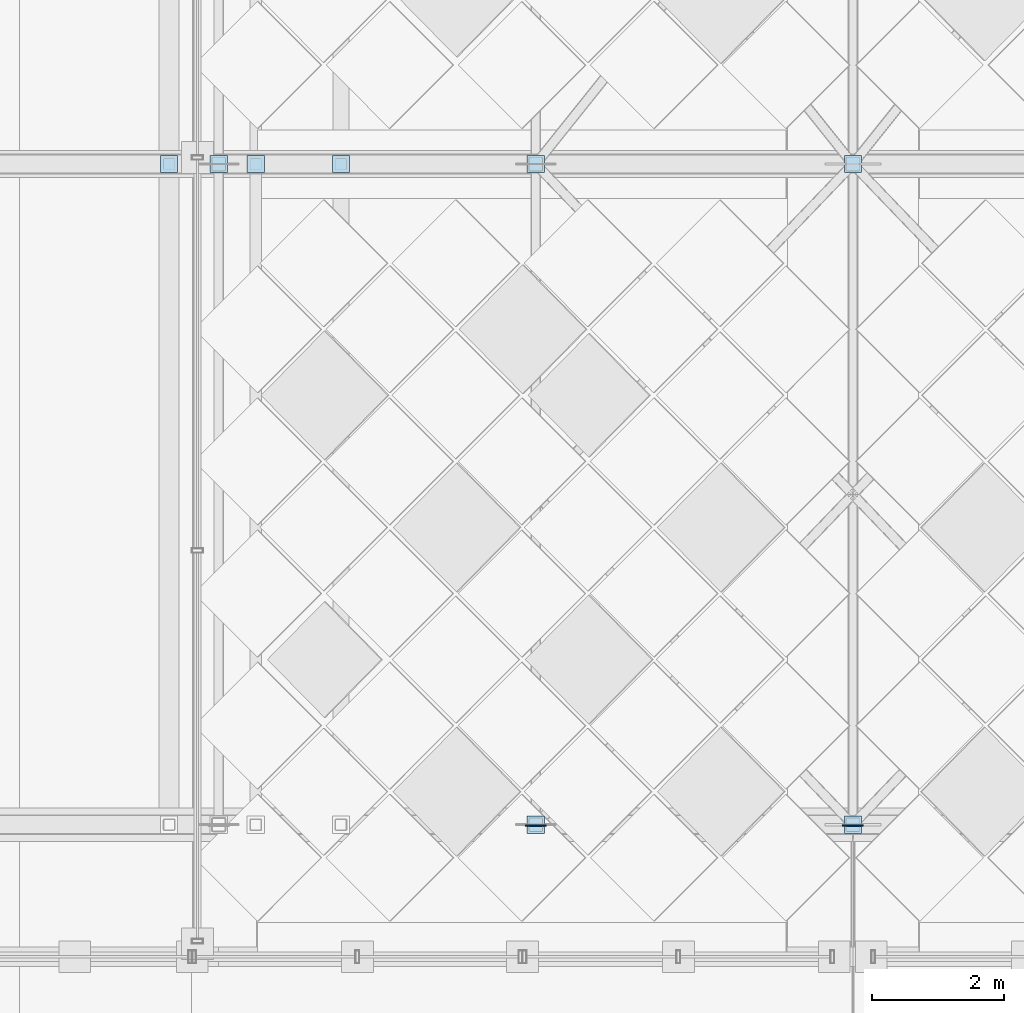
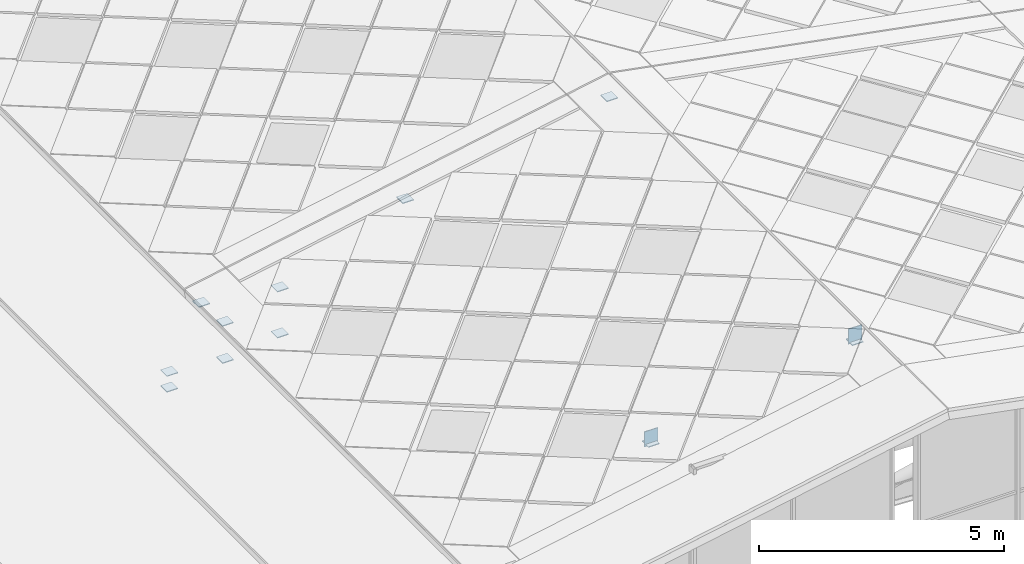
# One storey, part 102 of 117: 13 plates.
"""IFC4 building model written with IfcOpenShell, lengths in metres."""

from ifc_helpers import new_model, si_unit, direction, frame, origin, origin_2d, place, context, subcontext, project, spatial, rectangle, extrude, material, layer, layer_set, type_object, element, save


model = new_model("IFC4")

# Units and contexts
model_context = context("Model", 3, precision=1e-05, world=origin(), true_north=direction((0.0, 1.0)))
body_context = subcontext(model_context, "Body", "Model", "MODEL_VIEW")
ifc_project = project(units=[si_unit("LENGTHUNIT", "METRE"), si_unit("AREAUNIT", "SQUARE_METRE"), si_unit("VOLUMEUNIT", "CUBIC_METRE"), si_unit("PLANEANGLEUNIT", "RADIAN"), si_unit("MASSUNIT", "GRAM", prefix="KILO")], contexts=[model_context])

# Site, building, storey
site_placement = place(None, origin())
site = spatial("IfcSite", under=ifc_project, at=site_placement, CompositionType="ELEMENT")
building_placement = place(site_placement, origin())
building = spatial("IfcBuilding", under=site, at=building_placement, Name="Merenkruunu Market Hall", CompositionType="ELEMENT")
storey_placement = place(building_placement, frame((0.0, 0.0, 22.800048828125)))
storey = spatial("IfcBuildingStorey", under=building, at=storey_placement, Name="RF", CompositionType="ELEMENT", Elevation=22.800048828125)

# Plates
ifc_material = material(Name="Steel S355ML", Category="steel")
ifc_layer_1 = layer(ifc_material, 0.02001953125)
ifc_layer_set_1 = layer_set([ifc_layer_1], Name="Steel S355ML")
plate_type_1 = type_object("IfcPlateType", Name="Truss Gusset Or Cap Plate CP04", PredefinedType="USERDEFINED", material=ifc_layer_set_1)
for number, where, z_axis, x_axis, name in (
    (1, (24.0, 17.60009765625, 0.40185546875), (0.0, 0.0, 1.0), (1.0, 0.0, 0.0), "PLT-AT-1-PCAP-05"),
    (2, (28.800048828125, 17.60009765625, 1.25439453125), (0.0, 0.0, 1.0), (1.0, 0.0, 0.0), "PLT-AT-1-PCAP-06"),
    (3, (19.199951171875, 27.60009765625, -0.50048828125), (0.0, 0.0, 1.0), (1.0, 0.0, 0.0), "PLT-AT-2-PCAP-04"),
    (4, (24.0, 27.60009765625, 0.40185546875), (0.0, 0.0, 1.0), (1.0, 0.0, 0.0), "PLT-AT-2-PCAP-05"),
    (5, (28.800048828125, 27.60009765625, 1.25439453125), (0.0, 0.0, 1.0), (1.0, 0.0, 0.0), "PLT-AT-2-PCAP-06"),
    (6, (18.449951171875, 27.60009765625, -2.344970703125), (0.0, 0.0, 1.0), (1.0, 0.0, 0.0), "PLT-AT-2-RBASE-W5-2"),
    (7, (18.449951171875, 27.60009765625, -1.954345703125), (0.0, 0.0, 1.0), (1.0, 0.0, 0.0), "PLT-AT-2-RCAP-W5-2"),
    (8, (19.760009765625, 27.60009765625, -2.0888671875), (0.0, 0.0, 1.0), (1.0, 0.0, 0.0), "PLT-AT-2-RBASE-W6-1"),
    (9, (19.760009765625, 27.60009765625, -1.1669921875), (0.0, 0.0, 1.0), (1.0, 0.0, 0.0), "PLT-AT-2-RCAP-W6-1"),
    (10, (21.050048828125, 27.60009765625, -1.907958984375), (0.0, 0.0, 1.0), (1.0, 0.0, 0.0), "PLT-AT-2-RBASE-W6-2"),
    (11, (21.050048828125, 27.60009765625, -0.763427734375), (0.0, 0.0, 1.0), (1.0, 0.0, 0.0), "PLT-AT-2-RCAP-W6-2"),
):
    element("IfcPlate", number, at=place(storey_placement, frame(where, z_axis=z_axis, x_axis=x_axis)), inside=storey, type_object=plate_type_1, Name=name, ObjectType="GUSSET_PLATE", PredefinedType="USERDEFINED", context=body_context, shape_type="SweptSolid", body=[
        extrude(rectangle(XDim=0.260009765625, YDim=0.260009765625, at=origin_2d()), origin(), (0.0, 0.0, 1.0), 0.02001953125),
    ])
ifc_layer_2 = layer(ifc_material, 0.02197265625)
ifc_layer_set_2 = layer_set([ifc_layer_2], Name="Steel S355ML")
plate_type_2 = type_object("IfcPlateType", Name="Truss Gusset Or Cap Plate CP05", PredefinedType="USERDEFINED", material=ifc_layer_set_2)
for number, where, z_axis, x_axis, name in (
    (12, (24.0, 17.590087890625, 0.35693359375), (0.0, 0.0, 1.0), (1.0, 0.0, 0.0), "PLT-CROWNCAP-2-1"),
    (13, (28.800048828125, 17.590087890625, 1.234375), (0.0, 0.0, 1.0), (1.0, 0.0, 0.0), "PLT-CROWNCAP-3-1"),
):
    element("IfcPlate", number, at=place(storey_placement, frame(where, z_axis=z_axis, x_axis=x_axis)), inside=storey, type_object=plate_type_2, Name=name, ObjectType="GUSSET_PLATE", PredefinedType="USERDEFINED", context=body_context, shape_type="SweptSolid", body=[
        extrude(rectangle(XDim=0.320068359375, YDim=0.02197265625, at=origin_2d()), origin(), (0.0, 0.0, 1.0), 0.3798828125),
    ])

save(model, "model.ifc")
